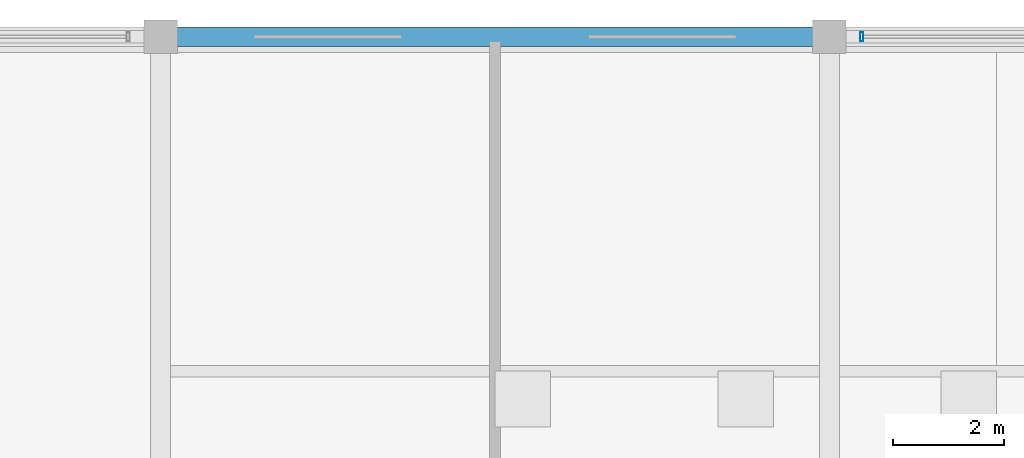
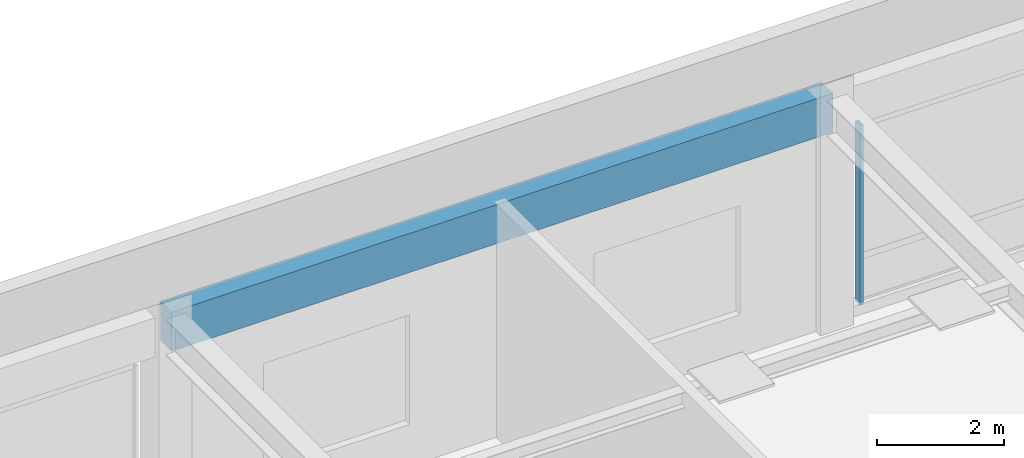
# One storey, part 10 of 16: 1 beam, 1 member, 1 element without a shape of its own.
"""IFC4 building model written with IfcOpenShell, lengths in metres."""

from ifc_helpers import new_model, si_unit, direction, frame, origin, origin_2d, place, context, subcontext, project, spatial, rectangle, hollow_rectangle, extrude, material, material_profile, profile_set, type_object, element, aggregate, save


model = new_model("IFC4")

# Units and contexts
model_context = context("Model", 3, precision=1e-05, world=origin(), true_north=direction((0.0, 1.0)))
body_context = subcontext(model_context, "Body", "Model", "MODEL_VIEW")
ifc_project = project(units=[si_unit("LENGTHUNIT", "METRE"), si_unit("AREAUNIT", "SQUARE_METRE"), si_unit("VOLUMEUNIT", "CUBIC_METRE"), si_unit("PLANEANGLEUNIT", "RADIAN"), si_unit("MASSUNIT", "GRAM", prefix="KILO")], contexts=[model_context])

# Site, building, storey
site_placement = place(None, origin())
site = spatial("IfcSite", under=ifc_project, at=site_placement, CompositionType="ELEMENT")
building_placement = place(site_placement, origin())
building = spatial("IfcBuilding", under=site, at=building_placement, Name="Kaldorvane Square Convention Centre", CompositionType="ELEMENT")
storey_placement = place(building_placement, frame((0.0, 0.0, 70.80000305175781)))
storey = spatial("IfcBuildingStorey", under=building, at=storey_placement, Name="L17", CompositionType="ELEMENT", Elevation=70.80000305175781)

# Beam
ifc_material_1 = material(Name="Concrete f'c = 42 MPa (Normalweight)", Category="concrete")
ifc_material_profile_1 = material_profile(ifc_material_1, rectangle(XDim=0.350006103515625, YDim=0.75, at=origin_2d()), Name="RCSP750X350")
ifc_profile_set_1 = profile_set([ifc_material_profile_1], Name="Concrete f'c = 42 MPa (Normalweight)")
beam_type = type_object("IfcBeamType", Name="BM-SP-RC750", PredefinedType="SPANDREL", material=ifc_profile_set_1)
beam_placement = place(storey_placement, frame((42.0, 117.0, 4.1009979248046875), z_axis=(1.0, 0.0, 0.0), x_axis=(0.0, 1.0, 0.0)))
element("IfcBeam", 1, at=beam_placement, inside=storey, type_object=beam_type, Name="Perimeter Spandrel (L17)", PredefinedType="SPANDREL", context=body_context, shape_type="SweptSolid", body=[
    extrude(rectangle(XDim=0.350006103515625, YDim=0.75, at=origin_2d()), origin(), (0.0, 0.0, 1.0), 12.0),
])

# Curtain wall, member
ifc_material_2 = material(Name="Anodized Aluminum and Low-E Insulated Glazing", Category="aluminium")
curtain_wall_type = type_object("IfcCurtainWallType", Name="CW-UNI-PNT-12", PredefinedType="USERDEFINED", material=ifc_material_2)
curtain_wall_placement = place(storey_placement, origin())
curtain_wall = element("IfcCurtainWall", 2, at=curtain_wall_placement, inside=storey, type_object=curtain_wall_type, Name="Curtain Wall CW-12 (L17)", ObjectType="UNITISED GLAZING", PredefinedType="USERDEFINED")
ifc_material_profile_2 = material_profile(ifc_material_2, hollow_rectangle(XDim=0.05999755859375, YDim=0.160003662109375, WallThickness=0.003204345703125, at=origin_2d()), Name="CWM-160X60")
ifc_profile_set_2 = profile_set([ifc_material_profile_2], Name="Anodized Aluminum and Low-E Insulated Glazing")
member_type = type_object("IfcMemberType", Name="CW-MUL-160", PredefinedType="MULLION", material=ifc_profile_set_2)
member_placement = place(storey_placement, frame((54.58000183105469, 117.0, 0.149993896484375), z_axis=(0.0, 0.0, 1.0), x_axis=(-1.0, 0.0, 0.0)))
member = element("IfcMember", 3, at=member_placement, type_object=member_type, Name="CW-12 mullion 4", PredefinedType="MULLION", context=body_context, shape_type="SweptSolid", body=[
    extrude(hollow_rectangle(XDim=0.05999755859375, YDim=0.160003662109375, WallThickness=0.003204345703125, at=origin_2d()), origin(), (0.0, 0.0, 1.0), 3.4499969482421875),
])
aggregate(curtain_wall, [member])

save(model, "model.ifc")
